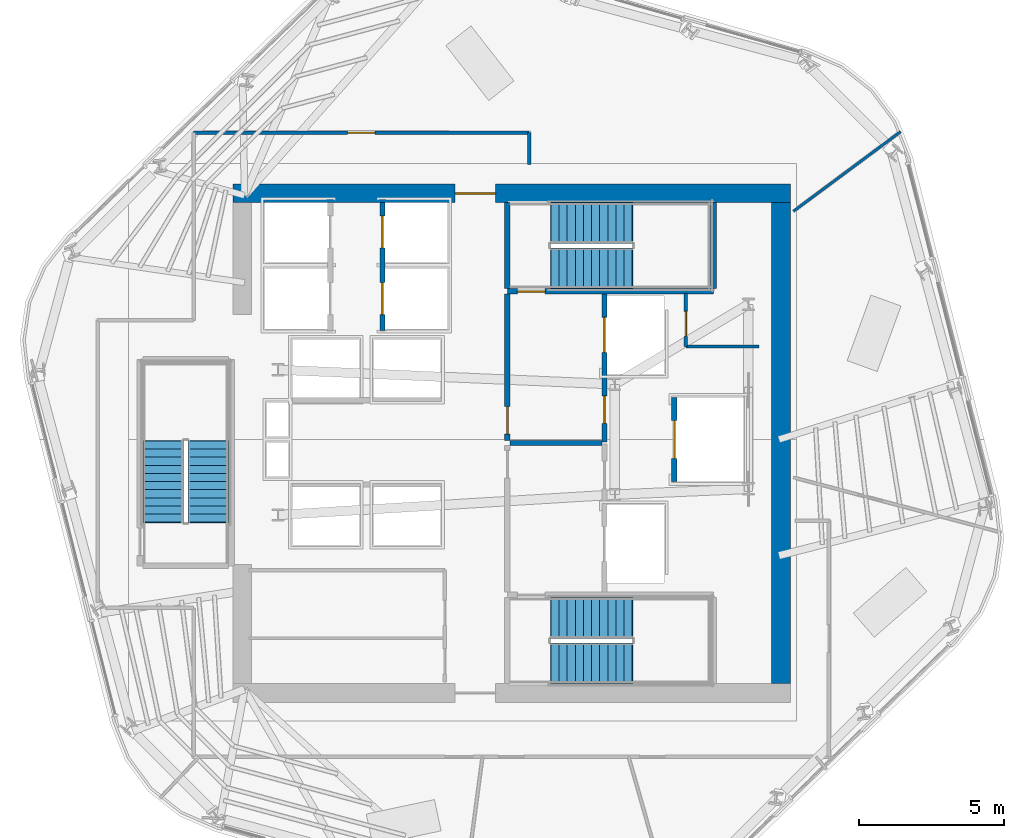
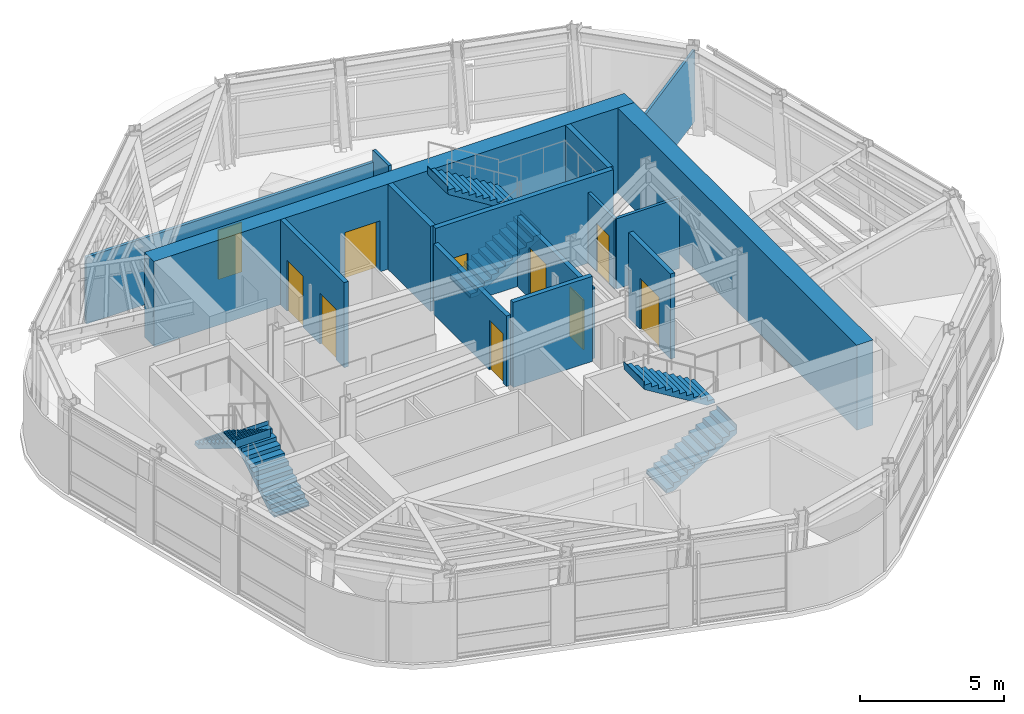
# One storey, part 9 of 14: 15 walls, 10 doors, 6 stair flights, 10 openings, 3 elements without a shape of their own.
"""IFC4 building model written with IfcOpenShell, lengths in metres."""

import ifcopenshell
import ifcopenshell.guid

model = None  # the IFC model being written
_history = None  # IfcOwnerHistory: only IFC2X3 demands one
_inside = {}  # id of a spatial element -> (the spatial element, [elements in it])
_under = {}  # id of a project, library or spatial element -> (it, [spatial elements below it])
_declared = {}  # id of a project -> (the project, [libraries it declares])
_typed = {}  # id of a type object -> (the type object, [elements of that type])
_made_of = {}  # id of a material, layer set ... -> (it, [elements and type objects made of it])


def new_model(schema):
    """Start an empty IFC model of exactly this schema.

    Asked for "IFC4X3", IfcOpenShell would pick the latest addendum, in which some entities
    have other attributes; the version numbers below select the first issue.
    IFC2X3 requires an IfcOwnerHistory on every rooted entity: one is made here for all.
    """
    global model, _history
    if schema == "IFC4X3":
        model = ifcopenshell.file(schema_version=(4, 3, 0, 0))
    else:
        model = ifcopenshell.file(schema=schema)
    _inside.clear()
    _under.clear()
    _declared.clear()
    _typed.clear()
    _made_of.clear()
    _history = None
    if model.schema == "IFC2X3":
        org = make("IfcOrganization", Name="unknown")
        user = make(
            "IfcPersonAndOrganization",
            ThePerson=make("IfcPerson", FamilyName="unknown"),
            TheOrganization=org,
        )
        app = make(
            "IfcApplication",
            ApplicationDeveloper=org,
            Version="unknown",
            ApplicationFullName="unknown",
            ApplicationIdentifier="unknown",
        )
        _history = make(
            "IfcOwnerHistory",
            OwningUser=user,
            OwningApplication=app,
            ChangeAction="ADDED",
            CreationDate=0,
        )
    return model


def make(cls, **values):
    """One entity of the class cls with the attributes given. An attribute that is None is left unset."""
    return model.create_entity(
        cls, **{name: value for name, value in values.items() if value is not None}
    )


def rooted(cls, **values):
    """An entity with a GlobalId (a new one), such as an element, a storey or a relation."""
    return make(cls, GlobalId=ifcopenshell.guid.new(), OwnerHistory=_history, **values)


def si_unit(unit_type, name, prefix=None):
    """IfcSIUnit, for example si_unit("LENGTHUNIT", "METRE", prefix="MILLI")."""
    return make("IfcSIUnit", UnitType=unit_type, Prefix=prefix, Name=name)


def assignment(units):
    """IfcUnitAssignment: the units of a project."""
    return None if units is None else make("IfcUnitAssignment", Units=units)


def point(xyz):
    """IfcCartesianPoint."""
    return None if xyz is None else make("IfcCartesianPoint", Coordinates=xyz)


def direction(xyz):
    """IfcDirection."""
    return None if xyz is None else make("IfcDirection", DirectionRatios=xyz)


def frame(location, z_axis=None, x_axis=None):
    """IfcAxis2Placement3D, a coordinate frame: its origin and axes. An axis left out is left unset."""
    return make(
        "IfcAxis2Placement3D",
        Location=point(location),
        Axis=direction(z_axis),
        RefDirection=direction(x_axis),
    )


def frame_2d(location, x_axis=None):
    """IfcAxis2Placement2D, a coordinate frame in the plane: its origin and x axis."""
    return make(
        "IfcAxis2Placement2D", Location=point(location), RefDirection=direction(x_axis)
    )


def origin():
    """The frame at (0, 0, 0) with its axes left unset."""
    return frame((0.0, 0.0, 0.0))


def place(relative_to, where):
    """IfcLocalPlacement: puts the frame where relative to a parent placement (None: the world)."""
    return make(
        "IfcLocalPlacement", PlacementRelTo=relative_to, RelativePlacement=where
    )


def context(
    kind, dimensions, precision=None, world=None, true_north=None, identifier=None
):
    """IfcGeometricRepresentationContext, for example the 3D "Model" context."""
    return make(
        "IfcGeometricRepresentationContext",
        ContextIdentifier=identifier,
        ContextType=kind,
        CoordinateSpaceDimension=dimensions,
        Precision=precision,
        WorldCoordinateSystem=world,
        TrueNorth=true_north,
    )


def subcontext(parent, identifier, kind, view, scale=None):
    """IfcGeometricRepresentationSubContext, for example "Body" below "Model"."""
    return make(
        "IfcGeometricRepresentationSubContext",
        ContextIdentifier=identifier,
        ContextType=kind,
        ParentContext=parent,
        TargetScale=scale,
        TargetView=view,
    )


def project(units=None, contexts=None):
    """IfcProject with its units and contexts."""
    return rooted(
        "IfcProject",
        Name="project",
        RepresentationContexts=contexts,
        UnitsInContext=assignment(units),
    )


def spatial(cls, under=None, at=None, **own):
    """A site, building, storey or space (cls), placed at a placement, below another one or the project."""
    s = rooted(cls, ObjectPlacement=at, **own)
    if under is not None:
        _under.setdefault(under.id(), (under, []))[1].append(s)
    return s


def polyline(points):
    """IfcPolyline through the points."""
    return make("IfcPolyline", Points=[point(p) for p in points])


def profile(cls, at=None, kind="AREA", **sizes):
    """A parametric profile (cls). Its sizes go by their IFC names, for example OverallWidth=200.0."""
    return make(cls, ProfileType=kind, Position=at, **sizes)


def rectangle(**sizes):
    """IfcRectangleProfileDef."""
    return profile("IfcRectangleProfileDef", **sizes)


def outline(outer, holes=None, kind="AREA"):
    """IfcArbitraryClosedProfileDef: a profile drawn as a closed curve; with holes, ...WithVoids."""
    if holes is None:
        return make("IfcArbitraryClosedProfileDef", ProfileType=kind, OuterCurve=outer)
    return make(
        "IfcArbitraryProfileDefWithVoids",
        ProfileType=kind,
        OuterCurve=outer,
        InnerCurves=holes,
    )


def extrude(swept, where, along, depth):
    """IfcExtrudedAreaSolid: the profile swept, set in the frame where, extruded along a direction by depth."""
    return make(
        "IfcExtrudedAreaSolid",
        SweptArea=swept,
        Position=where,
        ExtrudedDirection=direction(along),
        Depth=depth,
    )


def shape(context_of_items, identifier, shape_type, items):
    """IfcShapeRepresentation: the items that make up one representation, for example the "Body"."""
    return make(
        "IfcShapeRepresentation",
        ContextOfItems=context_of_items,
        RepresentationIdentifier=identifier,
        RepresentationType=shape_type,
        Items=items,
    )


def material(Name=None, Category=None):
    """IfcMaterial."""
    return make("IfcMaterial", Name=Name, Category=Category)


def layer(
    of_material, thickness, ventilated=None, Name=None, Category=None, Priority=None
):
    """IfcMaterialLayer: one layer of a wall or slab, of a material (None: an air gap)."""
    return make(
        "IfcMaterialLayer",
        Material=of_material,
        LayerThickness=thickness,
        IsVentilated=ventilated,
        Name=Name,
        Category=Category,
        Priority=Priority,
    )


def layer_set(layers, Name=None):
    """IfcMaterialLayerSet."""
    return make("IfcMaterialLayerSet", MaterialLayers=layers, LayerSetName=Name)


def made_of(thing, what):
    """Note that an element or type object is made of a material, layer set ...; save() writes the relation."""
    if what is not None:
        _made_of.setdefault(what.id(), (what, []))[1].append(thing)
    return thing


def type_object(cls, material=None, **own):
    """A type object (cls), such as IfcWallType, which elements share."""
    return made_of(rooted(cls, **own), material)


def element(
    cls,
    number,
    at=None,
    inside=None,
    cuts=None,
    type_object=None,
    material=None,
    context=None,
    identifier="Body",
    shape_type=None,
    held_by="IfcProductDefinitionShape",
    body=None,
    shapes=None,
    **own,
):
    """One element of the class cls, such as IfcWall. Its Tag is "e" and its number.

    at: its placement. inside: the storey or other place that contains it. cuts: it is an
    opening in that element (IfcRelVoidsElement). A single representation is given by context,
    identifier, shape_type and body (its items); several are given by shapes. held_by: the class
    of the entity that holds the representations. save() writes the other relations.
    """
    e = rooted(cls, Tag="e%d" % number, ObjectPlacement=at, **own)
    if body is not None:
        shapes = [shape(context, identifier, shape_type, body)]
    if shapes is not None:
        e.Representation = make(held_by, Representations=shapes)
    if inside is not None:
        _inside.setdefault(inside.id(), (inside, []))[1].append(e)
    if cuts is not None:
        rooted(
            "IfcRelVoidsElement", RelatingBuildingElement=cuts, RelatedOpeningElement=e
        )
    if type_object is not None:
        _typed.setdefault(type_object.id(), (type_object, []))[1].append(e)
    return made_of(e, material)


def fill(opening, filler):
    """IfcRelFillsElement: the door or window that sits in an opening."""
    return rooted(
        "IfcRelFillsElement",
        RelatingOpeningElement=opening,
        RelatedBuildingElement=filler,
    )


def aggregate(whole, parts):
    """IfcRelAggregates: a whole, such as a stair, and the parts it consists of."""
    return rooted("IfcRelAggregates", RelatingObject=whole, RelatedObjects=parts)


def save(model, path):
    """Write the relations noted so far, then the file.

    IfcRelAggregates (storeys below a building ...), IfcRelContainedInSpatialStructure (elements
    in a storey), IfcRelDefinesByType, IfcRelAssociatesMaterial and IfcRelDeclares: one each for
    every whole, place, type object, material and project.
    """
    for whole, parts in _under.values():
        aggregate(whole, parts)
    for where, things in _inside.values():
        rooted(
            "IfcRelContainedInSpatialStructure",
            RelatedElements=things,
            RelatingStructure=where,
        )
    for kind, things in _typed.values():
        rooted("IfcRelDefinesByType", RelatedObjects=things, RelatingType=kind)
    for what, things in _made_of.values():
        rooted("IfcRelAssociatesMaterial", RelatedObjects=things, RelatingMaterial=what)
    for by, libraries in _declared.values():
        rooted("IfcRelDeclares", RelatingContext=by, RelatedDefinitions=libraries)
    model.write(path)


model = new_model("IFC4")

# Units and contexts
model_context = context("Model", 3, precision=1e-05, world=origin(), true_north=direction((0.0, 1.0)))
body_context = subcontext(model_context, "Body", "Model", "MODEL_VIEW")
ifc_project = project(units=[si_unit("LENGTHUNIT", "METRE"), si_unit("AREAUNIT", "SQUARE_METRE"), si_unit("VOLUMEUNIT", "CUBIC_METRE"), si_unit("PLANEANGLEUNIT", "RADIAN"), si_unit("MASSUNIT", "GRAM", prefix="KILO")], contexts=[model_context])

# Site, building, storey
site_placement = place(None, origin())
site = spatial("IfcSite", under=ifc_project, at=site_placement, CompositionType="ELEMENT")
building_placement = place(site_placement, origin())
building = spatial("IfcBuilding", under=site, at=building_placement, Name="Valkerne Bourse Tower", CompositionType="ELEMENT")
storey_placement = place(building_placement, frame((0.0, 0.0, 213.199951171875)))
storey = spatial("IfcBuildingStorey", under=building, at=storey_placement, Name="L54", CompositionType="ELEMENT", Elevation=213.199951171875)

# Wall, opening, door
ifc_material_1 = material(Name="Concrete C55/67", Category="concrete")
ifc_layer_1 = layer(ifc_material_1, 0.64990234375)
ifc_layer_set_1 = layer_set([ifc_layer_1], Name="Concrete C55/67")
wall_type_1 = type_object("IfcWallType", Name="W-CORE-650", PredefinedType="SHEAR", material=ifc_layer_set_1)
wall_1_placement = place(storey_placement, frame((37.199951171875, 35.47509765625, 0.0), z_axis=(0.0, 0.0, 1.0), x_axis=(1.0, 0.0, 0.0)))
wall_1 = element("IfcWall", 1, at=wall_1_placement, inside=storey, type_object=wall_type_1, Name="L54 Core Shear Wall NORTH", PredefinedType="SHEAR", context=body_context, shape_type="SweptSolid", body=[
    extrude(rectangle(XDim=19.199951171875, YDim=0.64990234375, at=frame_2d((9.60009765625, 0.0))), origin(), (0.0, 0.0, 1.0), 3.60009765625),
])
opening_1_placement = place(wall_1_placement, frame((7.64990234375, 0.0, 0.0)))
opening_1 = element("IfcOpeningElement", 2, at=opening_1_placement, cuts=wall_1, Name="Opening D-PL-1400", PredefinedType="OPENING", context=body_context, shape_type="SweptSolid", body=[
    extrude(rectangle(XDim=1.39990234375, YDim=2.14990234375, at=frame_2d((0.699951171875, 1.074951171875))), frame((0.0, 0.3349609375, 0.0), z_axis=(0.0, -1.0, 0.0), x_axis=(1.0, 0.0, 0.0)), (0.0, 0.0, 1.0), 0.669921875),
])
ifc_material_2 = material(Name="Galvanised Painted Steel", Category="steel")
door_type_1 = type_object("IfcDoorType", Name="DR-PLT-1400", OperationType="DOUBLE_DOOR_SINGLE_SWING", PredefinedType="DOOR", material=ifc_material_2)
door_1_placement = place(opening_1_placement, origin())
door_1 = element("IfcDoor", 3, at=door_1_placement, inside=storey, type_object=door_type_1, Name="L54 North Passenger Lift Hall Fire Door", OperationType="DOUBLE_DOOR_SINGLE_SWING", OverallHeight=2.14990234375, OverallWidth=1.39990234375, PredefinedType="DOOR", context=body_context, shape_type="SweptSolid", body=[
    extrude(rectangle(XDim=1.39990234375, YDim=2.14990234375, at=frame_2d((0.699951171875, 1.074951171875))), frame((0.0, 0.02490234375, 0.0), z_axis=(0.0, -1.0, 0.0), x_axis=(1.0, 0.0, 0.0)), (0.0, 0.0, 1.0), 0.050048828125),
])
fill(opening_1, door_1)

# Wall
wall_2_placement = place(storey_placement, frame((56.074951171875, 18.60009765625, 0.0), z_axis=(0.0, 0.0, 1.0), x_axis=(0.0, 1.0, 0.0)))
element("IfcWall", 4, at=wall_2_placement, inside=storey, type_object=wall_type_1, Name="L54 Core Shear Wall EAST", PredefinedType="SHEAR", context=body_context, shape_type="SweptSolid", body=[
    extrude(rectangle(XDim=16.5498046875, YDim=0.64990234375, at=frame_2d((8.27490234375, 0.0))), origin(), (0.0, 0.0, 1.0), 3.60009765625),
])

# Wall, opening, door
ifc_material_3 = material(Name="Gypsum Board Steel-Stud Partition", Category="steel")
ifc_layer_2 = layer(ifc_material_3, 0.117919921875)
ifc_layer_set_2 = layer_set([ifc_layer_2], Name="Gypsum Board Steel-Stud Partition")
wall_type_2 = type_object("IfcWallType", Name="W-CORR-140", PredefinedType="PARTITIONING", material=ifc_layer_set_2)
wall_3_placement = place(storey_placement, frame((52.800048828125, 30.199951171875, 0.0), z_axis=(0.0, 0.0, 1.0), x_axis=(0.0, 1.0, 0.0)))
wall_3 = element("IfcWall", 5, at=wall_3_placement, inside=storey, type_object=wall_type_2, Name="L54 Core NE Bay West Wall", PredefinedType="PARTITIONING", context=body_context, shape_type="SweptSolid", body=[
    extrude(rectangle(XDim=1.820068359375, YDim=0.117919921875, at=frame_2d((0.91015625, 0.0))), origin(), (0.0, 0.0, 1.0), 2.97802734375),
])
opening_2_placement = place(wall_3_placement, frame((0.35009765625, 0.0, 0.0)))
opening_2 = element("IfcOpeningElement", 6, at=opening_2_placement, cuts=wall_3, Name="Opening D-WC-900", PredefinedType="OPENING", context=body_context, shape_type="SweptSolid", body=[
    extrude(rectangle(XDim=0.860107421875, YDim=2.050048828125, at=frame_2d((0.43017578125, 1.02490234375))), frame((0.0, 0.06884765625, 0.0), z_axis=(0.0, -1.0, 0.0), x_axis=(1.0, 0.0, 0.0)), (0.0, 0.0, 1.0), 0.137939453125),
])
ifc_material_4 = material(Name="Architectural White Oak Timber", Category="wood")
door_type_2 = type_object("IfcDoorType", Name="DR-WC-900", OperationType="NOTDEFINED", PredefinedType="DOOR", material=ifc_material_4)
door_2_placement = place(opening_2_placement, origin())
door_2 = element("IfcDoor", 7, at=door_2_placement, inside=storey, type_object=door_type_2, Name="L54 Electrical Closet Door", OperationType="SINGLE_SWING_RIGHT", OverallHeight=2.050048828125, OverallWidth=0.860107421875, PredefinedType="DOOR", context=body_context, shape_type="SweptSolid", body=[
    extrude(rectangle(XDim=0.860107421875, YDim=2.050048828125, at=frame_2d((0.43017578125, 1.02490234375))), frame((0.0, 0.02490234375, 0.0), z_axis=(0.0, -1.0, 0.0), x_axis=(1.0, 0.0, 0.0)), (0.0, 0.0, 1.0), 0.050048828125),
])
fill(opening_2, door_2)

# Wall
wall_4_placement = place(storey_placement, frame((52.800048828125, 30.199951171875, 0.0), z_axis=(0.0, 0.0, 1.0), x_axis=(1.0, 0.0, 0.0)))
element("IfcWall", 8, at=wall_4_placement, inside=storey, type_object=wall_type_2, Name="L54 Core NE Bay South Wall", PredefinedType="PARTITIONING", context=body_context, shape_type="SweptSolid", body=[
    extrude(rectangle(XDim=2.52001953125, YDim=0.117919921875, at=frame_2d((1.260009765625, 0.0))), origin(), (0.0, 0.0, 1.0), 2.97802734375),
])

# Wall, opening, door
wall_5_placement = place(storey_placement, frame((35.85009765625, 37.56005859375, 0.0), z_axis=(0.0, 0.0, 1.0), x_axis=(1.0, 0.0, 0.0)))
wall_5 = element("IfcWall", 9, at=wall_5_placement, inside=storey, type_object=wall_type_2, Name="L54 Corridor Enclosure Wall", PredefinedType="PARTITIONING", context=body_context, shape_type="SweptSolid", body=[
    extrude(rectangle(XDim=11.5498046875, YDim=0.117919921875, at=frame_2d((5.77490234375, 0.0))), origin(), (0.0, 0.0, 1.0), 2.820556640625),
])
opening_3_placement = place(wall_5_placement, frame((5.300048828125, 0.0, 0.0)))
opening_3 = element("IfcOpeningElement", 10, at=opening_3_placement, cuts=wall_5, Name="Opening D-OF-950", PredefinedType="OPENING", context=body_context, shape_type="SweptSolid", body=[
    extrude(rectangle(XDim=0.949951171875, YDim=2.10009765625, at=frame_2d((0.47509765625, 1.050048828125))), frame((0.0, 0.06884765625, 0.0), z_axis=(0.0, -1.0, 0.0), x_axis=(1.0, 0.0, 0.0)), (0.0, 0.0, 1.0), 0.137939453125),
])
door_type_3 = type_object("IfcDoorType", Name="DR-OFF-950", OperationType="NOTDEFINED", PredefinedType="DOOR", material=ifc_material_4)
door_3_placement = place(opening_3_placement, origin())
door_3 = element("IfcDoor", 11, at=door_3_placement, inside=storey, type_object=door_type_3, Name="L54 L54 Exchange Security Control Room 6 Door", OperationType="SINGLE_SWING_LEFT", OverallHeight=2.10009765625, OverallWidth=0.949951171875, PredefinedType="DOOR", context=body_context, shape_type="SweptSolid", body=[
    extrude(rectangle(XDim=0.949951171875, YDim=2.10009765625, at=frame_2d((0.47509765625, 1.050048828125))), frame((0.0, 0.02490234375, 0.0), z_axis=(0.0, -1.0, 0.0), x_axis=(1.0, 0.0, 0.0)), (0.0, 0.0, 1.0), 0.050048828125),
])
fill(opening_3, door_3)

# Walls
wall_6_placement = place(storey_placement, frame((47.39990234375, 37.56005859375, 0.0), z_axis=(0.0, 0.0, 1.0), x_axis=(0.0, -1.0, 0.0)))
element("IfcWall", 12, at=wall_6_placement, inside=storey, type_object=wall_type_2, Name="L54 Corridor Enclosure Wall", PredefinedType="PARTITIONING", context=body_context, shape_type="SweptSolid", body=[
    extrude(rectangle(XDim=1.10009765625, YDim=0.117919921875, at=frame_2d((0.550048828125, 0.0))), origin(), (0.0, 0.0, 1.0), 3.300048828125),
])
ifc_material_5 = material(Name="Gypsum Fire-Rated Shaftwall", Category="gypsum")
ifc_layer_3 = layer(ifc_material_5, 0.179931640625)
ifc_layer_set_3 = layer_set([ifc_layer_3], Name="Gypsum Fire-Rated Shaftwall")
wall_type_3 = type_object("IfcWallType", Name="W-FSAE-180", PredefinedType="PARTITIONING", material=ifc_layer_set_3)
wall_7_placement = place(storey_placement, frame((46.739990234375, 26.8798828125, 0.0), z_axis=(0.0, 0.0, 1.0), x_axis=(1.0, 0.0, 0.0)))
element("IfcWall", 13, at=wall_7_placement, inside=storey, type_object=wall_type_3, Name="L54 FSAE-1/2 Lobby Dividing Fire Wall", PredefinedType="PARTITIONING", context=body_context, shape_type="SweptSolid", body=[
    extrude(rectangle(XDim=3.169921875, YDim=0.179931640625, at=frame_2d((1.5849609375, 0.0))), origin(), (0.0, 0.0, 1.0), 3.60009765625),
])

# Wall, opening, door
wall_8_placement = place(storey_placement, frame((46.64990234375, 26.9599609375, 0.0), z_axis=(0.0, 0.0, 1.0), x_axis=(0.0, 1.0, 0.0)))
wall_8 = element("IfcWall", 14, at=wall_8_placement, inside=storey, type_object=wall_type_3, Name="L54 FSAE-2 Lobby West Fire Wall", PredefinedType="PARTITIONING", context=body_context, shape_type="SweptSolid", body=[
    extrude(rectangle(XDim=5.0400390625, YDim=0.179931640625, at=frame_2d((2.52001953125, 0.0))), origin(), (0.0, 0.0, 1.0), 2.97802734375),
])
opening_4_placement = place(wall_8_placement, frame((0.219970703125, 0.0, 0.0)))
opening_4 = element("IfcOpeningElement", 15, at=opening_4_placement, cuts=wall_8, Name="Opening D-FS-950", PredefinedType="OPENING", context=body_context, shape_type="SweptSolid", body=[
    extrude(rectangle(XDim=0.949951171875, YDim=2.10009765625, at=frame_2d((0.47509765625, 1.050048828125))), frame((0.0, 0.099853515625, 0.0), z_axis=(0.0, -1.0, 0.0), x_axis=(1.0, 0.0, 0.0)), (0.0, 0.0, 1.0), 0.199951171875),
])
door_type_4 = type_object("IfcDoorType", Name="DR-FSAE-950", OperationType="NOTDEFINED", PredefinedType="DOOR", material=ifc_material_2)
door_4_placement = place(opening_4_placement, origin())
door_4 = element("IfcDoor", 16, at=door_4_placement, inside=storey, type_object=door_type_4, Name="L54 FSAE-2 Hall Link Fire Door", OperationType="SINGLE_SWING_LEFT", OverallHeight=2.10009765625, OverallWidth=0.949951171875, PredefinedType="DOOR", context=body_context, shape_type="SweptSolid", body=[
    extrude(rectangle(XDim=0.949951171875, YDim=2.10009765625, at=frame_2d((0.47509765625, 1.050048828125))), frame((0.0, 0.02490234375, 0.0), z_axis=(0.0, -1.0, 0.0), x_axis=(1.0, 0.0, 0.0)), (0.0, 0.0, 1.0), 0.050048828125),
])
fill(opening_4, door_4)

# Wall, openings, doors
wall_9_placement = place(storey_placement, frame((50.0, 26.919921875, 0.0), z_axis=(0.0, 0.0, 1.0), x_axis=(0.0, 1.0, 0.0)))
wall_9 = element("IfcWall", 17, at=wall_9_placement, inside=storey, type_object=wall_type_3, Name="L54 FSAE-2 Lobby & Shaft Front Wall", PredefinedType="PARTITIONING", context=body_context, shape_type="SweptSolid", body=[
    extrude(rectangle(XDim=5.080078125, YDim=0.179931640625, at=frame_2d((2.5400390625, 0.0))), origin(), (0.0, 0.0, 1.0), 2.97802734375),
])
opening_5_placement = place(wall_9_placement, frame((3.080078125, 0.0, 0.0)))
opening_5 = element("IfcOpeningElement", 18, at=opening_5_placement, cuts=wall_9, Name="Opening LD-1200", PredefinedType="OPENING", context=body_context, shape_type="SweptSolid", body=[
    extrude(rectangle(XDim=1.199951171875, YDim=2.14990234375, at=frame_2d((0.60009765625, 1.074951171875))), frame((0.0, 0.099853515625, 0.0), z_axis=(0.0, -1.0, 0.0), x_axis=(1.0, 0.0, 0.0)), (0.0, 0.0, 1.0), 0.199951171875),
])
opening_6_placement = place(wall_9_placement, frame((0.6298828125, 0.0, 0.0)))
opening_6 = element("IfcOpeningElement", 19, at=opening_6_placement, cuts=wall_9, Name="Opening D-FS-950", PredefinedType="OPENING", context=body_context, shape_type="SweptSolid", body=[
    extrude(rectangle(XDim=0.949951171875, YDim=2.10009765625, at=frame_2d((0.47509765625, 1.050048828125))), frame((0.0, 0.099853515625, 0.0), z_axis=(0.0, -1.0, 0.0), x_axis=(1.0, 0.0, 0.0)), (0.0, 0.0, 1.0), 0.199951171875),
])
door_5_placement = place(opening_6_placement, origin())
door_5 = element("IfcDoor", 20, at=door_5_placement, inside=storey, type_object=door_type_4, Name="L54 FSAE-2 Lobby Corridor Fire Door", OperationType="SINGLE_SWING_RIGHT", OverallHeight=2.10009765625, OverallWidth=0.949951171875, PredefinedType="DOOR", context=body_context, shape_type="SweptSolid", body=[
    extrude(rectangle(XDim=0.949951171875, YDim=2.10009765625, at=frame_2d((0.47509765625, 1.050048828125))), frame((0.0, 0.02490234375, 0.0), z_axis=(0.0, -1.0, 0.0), x_axis=(1.0, 0.0, 0.0)), (0.0, 0.0, 1.0), 0.050048828125),
])
fill(opening_6, door_5)
ifc_material_6 = material(Name="Stainless Steel AISI 316", Category="steel")
door_type_5 = type_object("IfcDoorType", Name="DR-LIFT-1200", OperationType="DOUBLE_DOOR_SLIDING", PredefinedType="DOOR", material=ifc_material_6)
door_6_placement = place(opening_5_placement, origin())
door_6 = element("IfcDoor", 21, at=door_6_placement, inside=storey, type_object=door_type_5, Name="L54 FSAE-2 Firefighting Lift Landing Door", OperationType="DOUBLE_DOOR_SLIDING", OverallHeight=2.14990234375, OverallWidth=1.199951171875, PredefinedType="DOOR", context=body_context, shape_type="SweptSolid", body=[
    extrude(rectangle(XDim=1.199951171875, YDim=2.14990234375, at=frame_2d((0.60009765625, 1.074951171875))), frame((0.0, 0.02490234375, 0.0), z_axis=(0.0, -1.0, 0.0), x_axis=(1.0, 0.0, 0.0)), (0.0, 0.0, 1.0), 0.050048828125),
])
fill(opening_5, door_6)

# Wall, opening, door
ifc_material_7 = material(Name="CMU Blockwork Masonry 200mm", Category="masonry")
ifc_layer_4 = layer(ifc_material_7, 0.179931640625)
ifc_layer_set_4 = layer_set([ifc_layer_4], Name="CMU Blockwork Masonry 200mm")
wall_type_4 = type_object("IfcWallType", Name="W-LFT-180", PredefinedType="SOLIDWALL", material=ifc_layer_set_4)
wall_10_placement = place(storey_placement, frame((52.39990234375, 25.550048828125, 0.0), z_axis=(0.0, 0.0, 1.0), x_axis=(0.0, 1.0, 0.0)))
wall_10 = element("IfcWall", 22, at=wall_10_placement, inside=storey, type_object=wall_type_4, Name="L54 Service Lift SV-1 Front Wall", PredefinedType="SOLIDWALL", context=body_context, shape_type="SweptSolid", body=[
    extrude(rectangle(XDim=2.89990234375, YDim=0.179931640625, at=frame_2d((1.449951171875, 0.0))), origin(), (0.0, 0.0, 1.0), 3.60009765625),
])
opening_7_placement = place(wall_10_placement, frame((0.800048828125, 0.0, 0.0)))
opening_7 = element("IfcOpeningElement", 23, at=opening_7_placement, cuts=wall_10, Name="Opening LD-1300", PredefinedType="OPENING", context=body_context, shape_type="SweptSolid", body=[
    extrude(rectangle(XDim=1.300048828125, YDim=2.14990234375, at=frame_2d((0.64990234375, 1.074951171875))), frame((0.0, 0.099853515625, 0.0), z_axis=(0.0, -1.0, 0.0), x_axis=(1.0, 0.0, 0.0)), (0.0, 0.0, 1.0), 0.199951171875),
])
door_type_6 = type_object("IfcDoorType", Name="DR-LIFT-1300", OperationType="DOUBLE_DOOR_SLIDING", PredefinedType="DOOR", material=ifc_material_6)
door_7_placement = place(opening_7_placement, origin())
door_7 = element("IfcDoor", 24, at=door_7_placement, inside=storey, type_object=door_type_6, Name="L54 Service Lift SV-1 Landing Door", OperationType="DOUBLE_DOOR_SLIDING", OverallHeight=2.14990234375, OverallWidth=1.300048828125, PredefinedType="DOOR", context=body_context, shape_type="SweptSolid", body=[
    extrude(rectangle(XDim=1.300048828125, YDim=2.14990234375, at=frame_2d((0.64990234375, 1.074951171875))), frame((0.0, 0.02490234375, 0.0), z_axis=(0.0, -1.0, 0.0), x_axis=(1.0, 0.0, 0.0)), (0.0, 0.0, 1.0), 0.050048828125),
])
fill(opening_7, door_7)

# Wall, openings, doors
wall_11_placement = place(storey_placement, frame((42.35009765625, 30.75, 0.0), z_axis=(0.0, 0.0, 1.0), x_axis=(0.0, 1.0, 0.0)))
wall_11 = element("IfcWall", 25, at=wall_11_placement, inside=storey, type_object=wall_type_4, Name="L54 Mid-Zone East Cars Front Wall", PredefinedType="SOLIDWALL", context=body_context, shape_type="SweptSolid", body=[
    extrude(rectangle(XDim=4.39990234375, YDim=0.179931640625, at=frame_2d((2.199951171875, 0.0))), origin(), (0.0, 0.0, 1.0), 3.60009765625),
])
opening_8_placement = place(wall_11_placement, frame((0.550048828125, 0.0, 0.0)))
opening_8 = element("IfcOpeningElement", 26, at=opening_8_placement, cuts=wall_11, Name="Opening LD-1100", PredefinedType="OPENING", context=body_context, shape_type="SweptSolid", body=[
    extrude(rectangle(XDim=1.10009765625, YDim=2.14990234375, at=frame_2d((0.550048828125, 1.074951171875))), frame((0.0, 0.099853515625, 0.0), z_axis=(0.0, -1.0, 0.0), x_axis=(1.0, 0.0, 0.0)), (0.0, 0.0, 1.0), 0.199951171875),
])
opening_9_placement = place(wall_11_placement, frame((2.85009765625, 0.0, 0.0)))
opening_9 = element("IfcOpeningElement", 27, at=opening_9_placement, cuts=wall_11, Name="Opening LD-1100", PredefinedType="OPENING", context=body_context, shape_type="SweptSolid", body=[
    extrude(rectangle(XDim=1.10009765625, YDim=2.14990234375, at=frame_2d((0.550048828125, 1.074951171875))), frame((0.0, 0.099853515625, 0.0), z_axis=(0.0, -1.0, 0.0), x_axis=(1.0, 0.0, 0.0)), (0.0, 0.0, 1.0), 0.199951171875),
])
door_type_7 = type_object("IfcDoorType", Name="DR-LIFT-1100", OperationType="DOUBLE_DOOR_SLIDING", PredefinedType="DOOR", material=ifc_material_6)
door_8_placement = place(opening_8_placement, origin())
door_8 = element("IfcDoor", 28, at=door_8_placement, inside=storey, type_object=door_type_7, Name="L54 Passenger Lift PL-M3 Sliding Landing Door", OperationType="DOUBLE_DOOR_SLIDING", OverallHeight=2.14990234375, OverallWidth=1.10009765625, PredefinedType="DOOR", context=body_context, shape_type="SweptSolid", body=[
    extrude(rectangle(XDim=1.10009765625, YDim=2.14990234375, at=frame_2d((0.550048828125, 1.074951171875))), frame((0.0, 0.02490234375, 0.0), z_axis=(0.0, -1.0, 0.0), x_axis=(1.0, 0.0, 0.0)), (0.0, 0.0, 1.0), 0.050048828125),
])
fill(opening_8, door_8)
door_9_placement = place(opening_9_placement, origin())
door_9 = element("IfcDoor", 29, at=door_9_placement, inside=storey, type_object=door_type_7, Name="L54 Passenger Lift PL-M4 Sliding Landing Door", OperationType="DOUBLE_DOOR_SLIDING", OverallHeight=2.14990234375, OverallWidth=1.10009765625, PredefinedType="DOOR", context=body_context, shape_type="SweptSolid", body=[
    extrude(rectangle(XDim=1.10009765625, YDim=2.14990234375, at=frame_2d((0.550048828125, 1.074951171875))), frame((0.0, 0.02490234375, 0.0), z_axis=(0.0, -1.0, 0.0), x_axis=(1.0, 0.0, 0.0)), (0.0, 0.0, 1.0), 0.050048828125),
])
fill(opening_9, door_9)

# Wall
ifc_layer_5 = layer(ifc_material_3, 0.092041015625)
ifc_layer_set_5 = layer_set([ifc_layer_5], Name="Gypsum Board Steel-Stud Partition")
wall_type_5 = type_object("IfcWallType", Name="W-PART-115", PredefinedType="PARTITIONING", material=ifc_layer_set_5)
wall_12_placement = place(storey_placement, frame((56.5, 34.8564453125, 0.0), z_axis=(0.0, 0.0, 1.0), x_axis=(0.802883249399, 0.596136299712, 0.0)))
element("IfcWall", 30, at=wall_12_placement, inside=storey, type_object=wall_type_5, Name="L54 Suite Partition P05", PredefinedType="PARTITIONING", context=body_context, shape_type="SweptSolid", body=[
    extrude(rectangle(XDim=4.598388671875, YDim=0.092041015625, at=frame_2d((2.29931640625, 0.0))), origin(), (0.0, 0.0, 1.0), 3.036376953125),
])

# Wall, opening, door
ifc_material_8 = material(Name="Concrete C40/50", Category="concrete")
ifc_layer_6 = layer(ifc_material_8, 0.199951171875)
ifc_layer_set_6 = layer_set([ifc_layer_6], Name="Concrete C40/50")
wall_type_6 = type_object("IfcWallType", Name="W-SHF-200", PredefinedType="SHEAR", material=ifc_layer_set_6)
wall_13_placement = place(storey_placement, frame((46.64990234375, 32.10009765625, 0.0), z_axis=(0.0, 0.0, 1.0), x_axis=(1.0, 0.0, 0.0)))
wall_13 = element("IfcWall", 31, at=wall_13_placement, inside=storey, type_object=wall_type_6, Name="L54 Exit Stair ST-2 Structural Shaft Wall South", PredefinedType="SHEAR", context=body_context, shape_type="SweptSolid", body=[
    extrude(rectangle(XDim=7.10009765625, YDim=0.199951171875, at=frame_2d((3.550048828125, 0.0))), origin(), (0.0, 0.0, 1.0), 3.60009765625),
])
opening_10_placement = place(wall_13_placement, frame((0.35009765625, 0.0, 0.0)))
opening_10 = element("IfcOpeningElement", 32, at=opening_10_placement, cuts=wall_13, Name="Opening D-ST-950", PredefinedType="OPENING", context=body_context, shape_type="SweptSolid", body=[
    extrude(rectangle(XDim=0.949951171875, YDim=2.10009765625, at=frame_2d((0.47509765625, 1.050048828125))), frame((0.0, 0.10986328125, 0.0), z_axis=(0.0, -1.0, 0.0), x_axis=(1.0, 0.0, 0.0)), (0.0, 0.0, 1.0), 0.219970703125),
])
door_type_8 = type_object("IfcDoorType", Name="DR-STAIR-950", OperationType="NOTDEFINED", PredefinedType="DOOR", material=ifc_material_2)
door_10_placement = place(opening_10_placement, origin())
door_10 = element("IfcDoor", 33, at=door_10_placement, inside=storey, type_object=door_type_8, Name="L54 Exit Stair ST-2 Door", OperationType="SINGLE_SWING_LEFT", OverallHeight=2.10009765625, OverallWidth=0.949951171875, PredefinedType="DOOR", context=body_context, shape_type="SweptSolid", body=[
    extrude(rectangle(XDim=0.949951171875, YDim=2.10009765625, at=frame_2d((0.47509765625, 1.050048828125))), frame((0.0, 0.02490234375, 0.0), z_axis=(0.0, -1.0, 0.0), x_axis=(1.0, 0.0, 0.0)), (0.0, 0.0, 1.0), 0.050048828125),
])
fill(opening_10, door_10)

# Walls
for number, where, z_axis, x_axis, name in (
    (34, (46.64990234375, 32.199951171875, 0.0), (0.0, 0.0, 1.0), (0.0, 1.0, 0.0), "L54 Exit Stair ST-2 Structural Shaft Wall West"),
    (35, (53.75, 32.199951171875, 0.0), (0.0, 0.0, 1.0), (0.0, 1.0, 0.0), "L54 Exit Stair ST-2 Structural Shaft Wall East"),
):
    element("IfcWall", number, at=place(storey_placement, frame(where, z_axis=z_axis, x_axis=x_axis)), inside=storey, type_object=wall_type_6, Name=name, PredefinedType="SHEAR", context=body_context, shape_type="SweptSolid", body=[
        extrude(rectangle(XDim=2.949951171875, YDim=0.199951171875, at=frame_2d((1.47509765625, 0.0))), origin(), (0.0, 0.0, 1.0), 3.60009765625),
    ])

# Stair, stair flights
stair_type = type_object("IfcStairType", Name="ST-CORE-1400", PredefinedType="HALF_TURN_STAIR", material=ifc_material_8)
stair_1_placement = place(storey_placement, origin())
stair_1 = element("IfcStair", 36, at=stair_1_placement, inside=storey, type_object=stair_type, Name="L54 ST-1", PredefinedType="HALF_TURN_STAIR")
stair_flight_type = type_object("IfcStairFlightType", Name="STF-CORE-1400", PredefinedType="STRAIGHT", material=ifc_material_8)
stair_flight_1_placement = place(storey_placement, frame((48.14990234375, 19.300048828125, 0.0), z_axis=(0.0, 0.0, 1.0), x_axis=(1.0, 0.0, 0.0)))
stair_flight_1 = element("IfcStairFlight", 37, at=stair_flight_1_placement, type_object=stair_flight_type, Name="ST-1 flight 1", NumberOfRisers=11, NumberOfTreads=10, PredefinedType="STRAIGHT", RiserHeight=0.172727273, TreadLength=0.28, context=body_context, shape_type="SweptSolid", body=[
    extrude(outline(polyline([(-0.02001953125, 0.0), (-0.02001953125, 0.044921875), (0.0, 0.044921875), (0.0, 0.172607421875), (0.280029296875, 0.172607421875), (0.280029296875, 0.345458984375), (0.56005859375, 0.345458984375), (0.56005859375, 0.51806640625), (0.840087890625, 0.51806640625), (0.840087890625, 0.69091796875), (1.1201171875, 0.69091796875), (1.1201171875, 0.863525390625), (1.39990234375, 0.863525390625), (1.39990234375, 1.036376953125), (1.679931640625, 1.036376953125), (1.679931640625, 1.208984375), (1.9599609375, 1.208984375), (1.9599609375, 1.3818359375), (2.239990234375, 1.3818359375), (2.239990234375, 1.554443359375), (2.52001953125, 1.554443359375), (2.52001953125, 1.727294921875), (2.800048828125, 1.727294921875), (2.800048828125, 1.89990234375), (2.820068359375, 1.89990234375), (2.820068359375, 1.780029296875), (2.800048828125, 1.551025390625), (0.285400390625, 0.0), (-0.02001953125, 0.0)])), frame((0.0, 0.699951171875, 0.0), z_axis=(0.0, -1.0, 0.0), x_axis=(1.0, 0.0, 0.0)), (0.0, 0.0, 1.0), 1.39990234375),
])
stair_flight_2_placement = place(storey_placement, frame((50.949951171875, 20.85009765625, 1.900146484375), z_axis=(0.0, 0.0, 1.0), x_axis=(-1.0, 0.0, 0.0)))
stair_flight_2 = element("IfcStairFlight", 38, at=stair_flight_2_placement, type_object=stair_flight_type, Name="ST-1 flight 2", NumberOfRisers=11, NumberOfTreads=10, PredefinedType="STRAIGHT", RiserHeight=0.172727273, TreadLength=0.28, context=body_context, shape_type="SweptSolid", body=[
    extrude(outline(polyline([(-0.02001953125, 0.0), (-0.02001953125, 0.044921875), (0.0, 0.044921875), (0.0, 0.172607421875), (0.280029296875, 0.172607421875), (0.280029296875, 0.345458984375), (0.56005859375, 0.345458984375), (0.56005859375, 0.51806640625), (0.840087890625, 0.51806640625), (0.840087890625, 0.69091796875), (1.1201171875, 0.69091796875), (1.1201171875, 0.863525390625), (1.39990234375, 0.863525390625), (1.39990234375, 1.036376953125), (1.679931640625, 1.036376953125), (1.679931640625, 1.208984375), (1.9599609375, 1.208984375), (1.9599609375, 1.3818359375), (2.239990234375, 1.3818359375), (2.239990234375, 1.554443359375), (2.52001953125, 1.554443359375), (2.52001953125, 1.727294921875), (2.800048828125, 1.727294921875), (2.800048828125, 1.89990234375), (2.820068359375, 1.89990234375), (2.820068359375, 1.780029296875), (2.800048828125, 1.551025390625), (0.285400390625, 0.0), (-0.02001953125, 0.0)])), frame((0.0, 0.699951171875, 0.0), z_axis=(0.0, -1.0, 0.0), x_axis=(1.0, 0.0, 0.0)), (0.0, 0.0, 1.0), 1.39990234375),
])
aggregate(stair_1, [stair_flight_1, stair_flight_2])

stair_2_placement = place(storey_placement, origin())
stair_2 = element("IfcStair", 39, at=stair_2_placement, inside=storey, type_object=stair_type, Name="L54 ST-2", PredefinedType="HALF_TURN_STAIR")
stair_flight_3_placement = place(storey_placement, frame((48.14990234375, 32.89990234375, 0.0), z_axis=(0.0, 0.0, 1.0), x_axis=(1.0, 0.0, 0.0)))
stair_flight_3 = element("IfcStairFlight", 40, at=stair_flight_3_placement, type_object=stair_flight_type, Name="ST-2 flight 1", NumberOfRisers=11, NumberOfTreads=10, PredefinedType="STRAIGHT", RiserHeight=0.172727273, TreadLength=0.28, context=body_context, shape_type="SweptSolid", body=[
    extrude(outline(polyline([(-0.02001953125, 0.0), (-0.02001953125, 0.044921875), (0.0, 0.044921875), (0.0, 0.172607421875), (0.280029296875, 0.172607421875), (0.280029296875, 0.345458984375), (0.56005859375, 0.345458984375), (0.56005859375, 0.51806640625), (0.840087890625, 0.51806640625), (0.840087890625, 0.69091796875), (1.1201171875, 0.69091796875), (1.1201171875, 0.863525390625), (1.39990234375, 0.863525390625), (1.39990234375, 1.036376953125), (1.679931640625, 1.036376953125), (1.679931640625, 1.208984375), (1.9599609375, 1.208984375), (1.9599609375, 1.3818359375), (2.239990234375, 1.3818359375), (2.239990234375, 1.554443359375), (2.52001953125, 1.554443359375), (2.52001953125, 1.727294921875), (2.800048828125, 1.727294921875), (2.800048828125, 1.89990234375), (2.820068359375, 1.89990234375), (2.820068359375, 1.780029296875), (2.800048828125, 1.551025390625), (0.285400390625, 0.0), (-0.02001953125, 0.0)])), frame((0.0, 0.699951171875, 0.0), z_axis=(0.0, -1.0, 0.0), x_axis=(1.0, 0.0, 0.0)), (0.0, 0.0, 1.0), 1.39990234375),
])
stair_flight_4_placement = place(storey_placement, frame((50.949951171875, 34.449951171875, 1.900146484375), z_axis=(0.0, 0.0, 1.0), x_axis=(-1.0, 0.0, 0.0)))
stair_flight_4 = element("IfcStairFlight", 41, at=stair_flight_4_placement, type_object=stair_flight_type, Name="ST-2 flight 2", NumberOfRisers=11, NumberOfTreads=10, PredefinedType="STRAIGHT", RiserHeight=0.172727273, TreadLength=0.28, context=body_context, shape_type="SweptSolid", body=[
    extrude(outline(polyline([(-0.02001953125, 0.0), (-0.02001953125, 0.044921875), (0.0, 0.044921875), (0.0, 0.172607421875), (0.280029296875, 0.172607421875), (0.280029296875, 0.345458984375), (0.56005859375, 0.345458984375), (0.56005859375, 0.51806640625), (0.840087890625, 0.51806640625), (0.840087890625, 0.69091796875), (1.1201171875, 0.69091796875), (1.1201171875, 0.863525390625), (1.39990234375, 0.863525390625), (1.39990234375, 1.036376953125), (1.679931640625, 1.036376953125), (1.679931640625, 1.208984375), (1.9599609375, 1.208984375), (1.9599609375, 1.3818359375), (2.239990234375, 1.3818359375), (2.239990234375, 1.554443359375), (2.52001953125, 1.554443359375), (2.52001953125, 1.727294921875), (2.800048828125, 1.727294921875), (2.800048828125, 1.89990234375), (2.820068359375, 1.89990234375), (2.820068359375, 1.780029296875), (2.800048828125, 1.551025390625), (0.285400390625, 0.0), (-0.02001953125, 0.0)])), frame((0.0, 0.699951171875, 0.0), z_axis=(0.0, -1.0, 0.0), x_axis=(1.0, 0.0, 0.0)), (0.0, 0.0, 1.0), 1.39990234375),
])
aggregate(stair_2, [stair_flight_3, stair_flight_4])

stair_3_placement = place(storey_placement, origin())
stair_3 = element("IfcStair", 42, at=stair_3_placement, inside=storey, type_object=stair_type, Name="L54 ST-3", PredefinedType="HALF_TURN_STAIR")
stair_flight_5_placement = place(storey_placement, frame((36.35009765625, 24.14990234375, 0.0), z_axis=(0.0, 0.0, 1.0), x_axis=(0.0, 1.0, 0.0)))
stair_flight_5 = element("IfcStairFlight", 43, at=stair_flight_5_placement, type_object=stair_flight_type, Name="ST-3 flight 1", NumberOfRisers=11, NumberOfTreads=10, PredefinedType="STRAIGHT", RiserHeight=0.172727273, TreadLength=0.28, context=body_context, shape_type="SweptSolid", body=[
    extrude(outline(polyline([(-0.02001953125, 0.0), (-0.02001953125, 0.044921875), (0.0, 0.044921875), (0.0, 0.172607421875), (0.280029296875, 0.172607421875), (0.280029296875, 0.345458984375), (0.56005859375, 0.345458984375), (0.56005859375, 0.51806640625), (0.840087890625, 0.51806640625), (0.840087890625, 0.69091796875), (1.1201171875, 0.69091796875), (1.1201171875, 0.863525390625), (1.39990234375, 0.863525390625), (1.39990234375, 1.036376953125), (1.679931640625, 1.036376953125), (1.679931640625, 1.208984375), (1.9599609375, 1.208984375), (1.9599609375, 1.3818359375), (2.239990234375, 1.3818359375), (2.239990234375, 1.554443359375), (2.52001953125, 1.554443359375), (2.52001953125, 1.727294921875), (2.800048828125, 1.727294921875), (2.800048828125, 1.89990234375), (2.820068359375, 1.89990234375), (2.820068359375, 1.780029296875), (2.800048828125, 1.551025390625), (0.285400390625, 0.0), (-0.02001953125, 0.0)])), frame((0.0, 0.699951171875, 0.0), z_axis=(0.0, -1.0, 0.0), x_axis=(1.0, 0.0, 0.0)), (0.0, 0.0, 1.0), 1.39990234375),
])
stair_flight_6_placement = place(storey_placement, frame((34.800048828125, 26.949951171875, 1.900146484375), z_axis=(0.0, 0.0, 1.0), x_axis=(0.0, -1.0, 0.0)))
stair_flight_6 = element("IfcStairFlight", 44, at=stair_flight_6_placement, type_object=stair_flight_type, Name="ST-3 flight 2", NumberOfRisers=11, NumberOfTreads=10, PredefinedType="STRAIGHT", RiserHeight=0.172727273, TreadLength=0.28, context=body_context, shape_type="SweptSolid", body=[
    extrude(outline(polyline([(-0.02001953125, 0.0), (-0.02001953125, 0.044921875), (0.0, 0.044921875), (0.0, 0.172607421875), (0.280029296875, 0.172607421875), (0.280029296875, 0.345458984375), (0.56005859375, 0.345458984375), (0.56005859375, 0.51806640625), (0.840087890625, 0.51806640625), (0.840087890625, 0.69091796875), (1.1201171875, 0.69091796875), (1.1201171875, 0.863525390625), (1.39990234375, 0.863525390625), (1.39990234375, 1.036376953125), (1.679931640625, 1.036376953125), (1.679931640625, 1.208984375), (1.9599609375, 1.208984375), (1.9599609375, 1.3818359375), (2.239990234375, 1.3818359375), (2.239990234375, 1.554443359375), (2.52001953125, 1.554443359375), (2.52001953125, 1.727294921875), (2.800048828125, 1.727294921875), (2.800048828125, 1.89990234375), (2.820068359375, 1.89990234375), (2.820068359375, 1.780029296875), (2.800048828125, 1.551025390625), (0.285400390625, 0.0), (-0.02001953125, 0.0)])), frame((0.0, 0.699951171875, 0.0), z_axis=(0.0, -1.0, 0.0), x_axis=(1.0, 0.0, 0.0)), (0.0, 0.0, 1.0), 1.39990234375),
])
aggregate(stair_3, [stair_flight_5, stair_flight_6])

save(model, "model.ifc")
